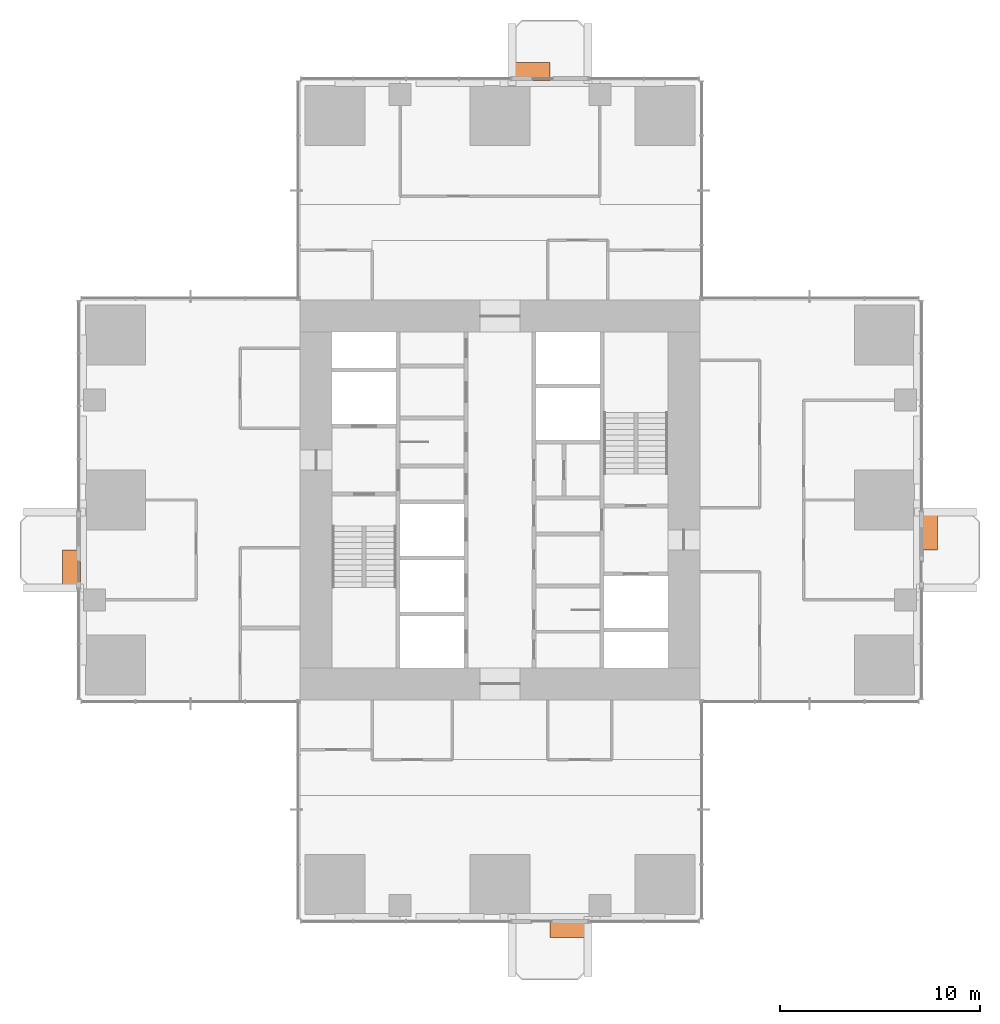
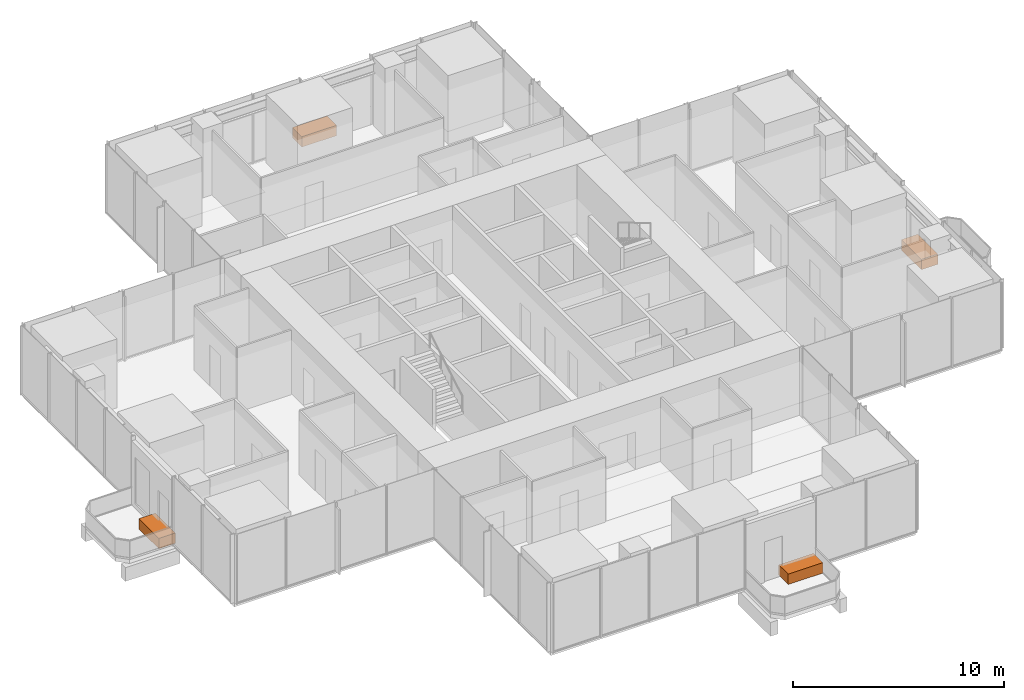
# One storey, part 13 of 13: 4 proxies.
"""IFC4 building model written with IfcOpenShell, lengths in metres."""

from ifc_helpers import new_model, si_unit, direction, frame, origin, origin_2d, place, context, subcontext, project, spatial, rectangle, extrude, element, save


model = new_model("IFC4")

# Units and contexts
model_context = context("Model", 3, precision=1e-05, world=origin(), true_north=direction((0.0, 1.0)))
body_context = subcontext(model_context, "Body", "Model", "MODEL_VIEW")
ifc_project = project(units=[si_unit("LENGTHUNIT", "METRE"), si_unit("AREAUNIT", "SQUARE_METRE"), si_unit("VOLUMEUNIT", "CUBIC_METRE"), si_unit("PLANEANGLEUNIT", "RADIAN"), si_unit("MASSUNIT", "GRAM", prefix="KILO")], contexts=[model_context])

# Site, building, storey
site_placement = place(None, origin())
site = spatial("IfcSite", under=ifc_project, at=site_placement, CompositionType="ELEMENT")
building_placement = place(site_placement, origin())
building = spatial("IfcBuilding", under=site, at=building_placement, Name="Svetlomir Tower", CompositionType="ELEMENT")
storey_placement = place(building_placement, frame((0.0, 0.0, 136.5)))
storey = spatial("IfcBuildingStorey", under=building, at=storey_placement, Name="L32", CompositionType="ELEMENT", Elevation=136.5)

# Proxies
proxy_1_placement = place(storey_placement, frame((24.449951171875, -0.449951171875, 0.0400390625), z_axis=(0.0, 0.0, 1.0), x_axis=(1.0, 0.0, 0.0)))
element("IfcBuildingElementProxy", 1, at=proxy_1_placement, inside=storey, Name="Tree planter S L32", ObjectType="PLANTER", PredefinedType="USERDEFINED", context=body_context, shape_type="SweptSolid", body=[
    extrude(rectangle(XDim=1.89990234375, YDim=0.89990234375, at=origin_2d()), origin(), (0.0, 0.0, 1.0), 0.60009765625),
])
proxy_2_placement = place(storey_placement, frame((42.449951171875, 19.449951171875, 0.0400390625), z_axis=(0.0, 0.0, 1.0), x_axis=(1.0, 0.0, 0.0)))
element("IfcBuildingElementProxy", 2, at=proxy_2_placement, inside=storey, Name="Tree planter E L32", ObjectType="PLANTER", PredefinedType="USERDEFINED", context=body_context, shape_type="SweptSolid", body=[
    extrude(rectangle(XDim=0.89990234375, YDim=1.89990234375, at=origin_2d()), origin(), (0.0, 0.0, 1.0), 0.60009765625),
])
proxy_3_placement = place(storey_placement, frame((22.550048828125, 42.449951171875, 0.0400390625), z_axis=(0.0, 0.0, 1.0), x_axis=(1.0, 0.0, 0.0)))
element("IfcBuildingElementProxy", 3, at=proxy_3_placement, inside=storey, Name="Tree planter N L32", ObjectType="PLANTER", PredefinedType="USERDEFINED", context=body_context, shape_type="SweptSolid", body=[
    extrude(rectangle(XDim=1.89990234375, YDim=0.89990234375, at=origin_2d()), origin(), (0.0, 0.0, 1.0), 0.60009765625),
])
proxy_4_placement = place(storey_placement, frame((-0.449951171875, 17.550048828125, 0.0400390625), z_axis=(0.0, 0.0, 1.0), x_axis=(1.0, 0.0, 0.0)))
element("IfcBuildingElementProxy", 4, at=proxy_4_placement, inside=storey, Name="Tree planter W L32", ObjectType="PLANTER", PredefinedType="USERDEFINED", context=body_context, shape_type="SweptSolid", body=[
    extrude(rectangle(XDim=0.89990234375, YDim=1.89990234375, at=origin_2d()), origin(), (0.0, 0.0, 1.0), 0.60009765625),
])

save(model, "model.ifc")
